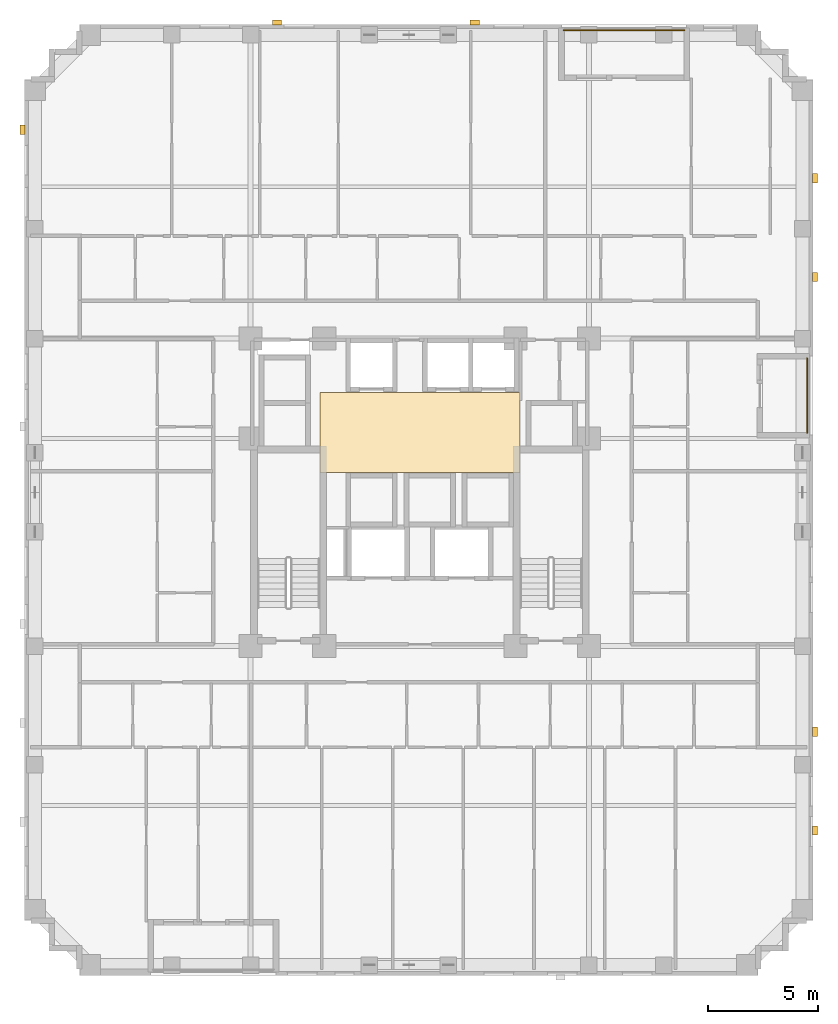
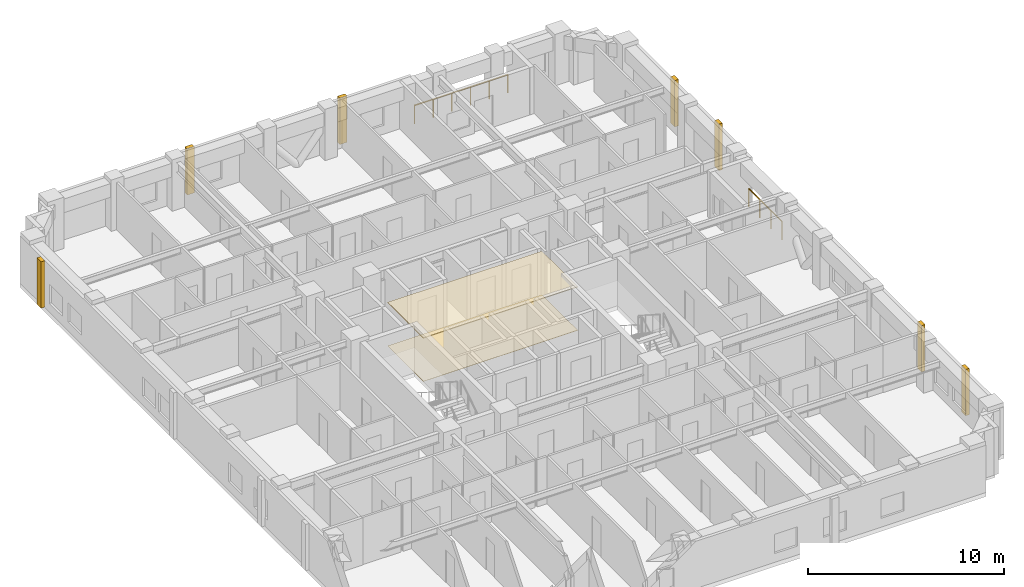
# One storey, part 12 of 12: 9 coverings, 2 railings.
"""IFC4 building model written with IfcOpenShell, lengths in metres."""

from ifc_helpers import new_model, si_unit, derived_unit, direction, frame, origin, origin_2d, place, context, subcontext, project, spatial, polyline, rectangle, circle, outline, extrude, material, layer, layer_set, type_object, element, save


model = new_model("IFC4")

# Units and contexts
model_context = context("Model", 3, precision=1e-05, world=origin(), true_north=direction((0.0, 1.0)))
body_context = subcontext(model_context, "Body", "Model", "MODEL_VIEW")
ifc_project = project(units=[si_unit("LENGTHUNIT", "METRE"), si_unit("AREAUNIT", "SQUARE_METRE"), si_unit("VOLUMEUNIT", "CUBIC_METRE"), si_unit("PLANEANGLEUNIT", "RADIAN"), si_unit("MASSUNIT", "GRAM", prefix="KILO"), derived_unit("THERMALTRANSMITTANCEUNIT", [(si_unit("MASSUNIT", "GRAM", prefix="KILO"), 1), (si_unit("TIMEUNIT", "SECOND"), -3), (si_unit("THERMODYNAMICTEMPERATUREUNIT", "KELVIN"), -1)])], contexts=[model_context])

# Site, building, storey
site_placement = place(None, origin())
site = spatial("IfcSite", under=ifc_project, at=site_placement, CompositionType="ELEMENT")
building_placement = place(site_placement, origin())
building = spatial("IfcBuilding", under=site, at=building_placement, Name="Korrvale Station Residences", CompositionType="ELEMENT")
storey_placement = place(building_placement, frame((0.0, 0.0, 110.300048828125)))
storey = spatial("IfcBuildingStorey", under=building, at=storey_placement, Name="L31", CompositionType="ELEMENT", Elevation=110.300048828125)

# Coverings
ifc_material_1 = material(Name="Perforated acoustic mineral-fibre suspended ceiling", Category="gypsum")
ifc_layer_1 = layer(ifc_material_1, 0.050048828125, Name="Perforated acoustic mineral-fibre suspended ceiling")
ifc_layer_set_1 = layer_set([ifc_layer_1], Name="Perforated acoustic mineral-fibre suspended ceiling")
covering_type_1 = type_object("IfcCoveringType", Name="COV-CLG-AC60", PredefinedType="CEILING", material=ifc_layer_set_1)
covering_1_placement = place(storey_placement, frame((0.0, 0.0, 2.68994140625)))
element("IfcCovering", 1, at=covering_1_placement, inside=storey, type_object=covering_type_1, Name="L31 Elevator Lobby Acoustic Ceiling", PredefinedType="CEILING", context=body_context, shape_type="SweptSolid", body=[
    extrude(outline(polyline([(20.949951171875, 22.89990234375), (30.050048828125, 22.89990234375), (30.050048828125, 26.550048828125), (20.949951171875, 26.550048828125), (20.949951171875, 22.89990234375)])), origin(), (0.0, 0.0, 1.0), 0.050048828125),
])
ifc_material_2 = material(Name="Polished quartz-terrazzo lobby flooring", Category="masonry")
ifc_layer_2 = layer(ifc_material_2, 0.02001953125, Name="Polished quartz-terrazzo lobby flooring")
ifc_layer_set_2 = layer_set([ifc_layer_2], Name="Polished quartz-terrazzo lobby flooring")
covering_type_2 = type_object("IfcCoveringType", Name="COV-FLR-TER20", PredefinedType="FLOORING", material=ifc_layer_set_2)
covering_2_placement = place(storey_placement, origin())
element("IfcCovering", 2, at=covering_2_placement, inside=storey, type_object=covering_type_2, Name="L31 Elevator Lobby Terrazzo Flooring", PredefinedType="FLOORING", context=body_context, shape_type="SweptSolid", body=[
    extrude(outline(polyline([(20.949951171875, 22.89990234375), (30.050048828125, 22.89990234375), (30.050048828125, 26.550048828125), (20.949951171875, 26.550048828125), (20.949951171875, 22.89990234375)])), origin(), (0.0, 0.0, 1.0), 0.02001953125),
])
ifc_material_3 = material(Name="Architectural precast concrete C45/55", Category="concrete")
ifc_layer_3 = layer(ifc_material_3, 0.219970703125, Name="Architectural precast concrete C45/55")
ifc_layer_set_3 = layer_set([ifc_layer_3], Name="Architectural precast concrete C45/55")
covering_type_3 = type_object("IfcCoveringType", Name="COV-PIER-400", PredefinedType="CLADDING", material=ifc_layer_set_3)
for number, where, z_axis, x_axis, name in (
    (3, (19.0, 43.389892578125, 0.02490234375), (0.0, 0.0, 1.0), (1.0, 0.0, 0.0), "L31 Architectural Precast Facade Pier 02"),
    (4, (28.0, 43.389892578125, 0.02490234375), (0.0, 0.0, 1.0), (1.0, 0.0, 0.0), "L31 Architectural Precast Facade Pier 03"),
    (5, (7.409912109375, 38.5, 0.02490234375), (0.0, 0.0, 1.0), (0.0, 1.0, 0.0), "L31 Architectural Precast Facade Pier 08"),
    (6, (43.489990234375, 36.300048828125, 0.02490234375), (0.0, 0.0, 1.0), (0.0, 1.0, 0.0), "L31 Architectural Precast Facade Pier 09"),
    (7, (43.489990234375, 31.800048828125, 0.02490234375), (0.0, 0.0, 1.0), (0.0, 1.0, 0.0), "L31 Architectural Precast Facade Pier 10"),
    (8, (43.489990234375, 11.10009765625, 0.02490234375), (0.0, 0.0, 1.0), (0.0, 1.0, 0.0), "L31 Architectural Precast Facade Pier 11"),
    (9, (43.489990234375, 6.60009765625, 0.02490234375), (0.0, 0.0, 1.0), (0.0, 1.0, 0.0), "L31 Architectural Precast Facade Pier 12"),
):
    element("IfcCovering", number, at=place(storey_placement, frame(where, z_axis=z_axis, x_axis=x_axis)), inside=storey, type_object=covering_type_3, Name=name, PredefinedType="CLADDING", context=body_context, shape_type="SweptSolid", body=[
        extrude(rectangle(XDim=0.419921875, YDim=0.219970703125, at=origin_2d()), origin(), (0.0, 0.0, 1.0), 2.889892578125),
    ])

# Railings
ifc_material_4 = material(Name="Powder-coated aluminium picket loggia guard", Category="aluminium")
railing_type = type_object("IfcRailingType", Name="RLG-BAL-1150", PredefinedType="GUARDRAIL", material=ifc_material_4)
railing_1_placement = place(storey_placement, frame((32.050048828125, 43.030029296875, 0.0)))
element("IfcRailing", 10, at=railing_1_placement, inside=storey, type_object=railing_type, Name="L31 Recessed Loggia Guardrail BAL-L31-N1", PredefinedType="GUARDRAIL", context=body_context, shape_type="SweptSolid", body=[
    extrude(circle(Radius=0.02392578125, at=origin_2d()), frame((0.0, 0.0, 1.1259765625), z_axis=(1.0, 0.0, 0.0), x_axis=(0.0, 1.0, 0.0)), (0.0, 0.0, 1.0), 5.5),
    extrude(circle(Radius=0.02099609375, at=origin_2d()), origin(), (0.0, 0.0, 1.0), 1.101806640625),
    extrude(circle(Radius=0.02099609375, at=origin_2d()), frame((1.10009765625, 0.0, 0.0)), (0.0, 0.0, 1.0), 1.101806640625),
    extrude(circle(Radius=0.02099609375, at=origin_2d()), frame((2.199951171875, 0.0, 0.0)), (0.0, 0.0, 1.0), 1.101806640625),
    extrude(circle(Radius=0.02099609375, at=origin_2d()), frame((3.300048828125, 0.0, 0.0)), (0.0, 0.0, 1.0), 1.101806640625),
    extrude(circle(Radius=0.02099609375, at=origin_2d()), frame((4.39990234375, 0.0, 0.0)), (0.0, 0.0, 1.0), 1.101806640625),
    extrude(circle(Radius=0.02099609375, at=origin_2d()), frame((5.5, 0.0, 0.0)), (0.0, 0.0, 1.0), 1.101806640625),
])
railing_2_placement = place(storey_placement, frame((43.1298828125, 24.699951171875, 0.0)))
element("IfcRailing", 11, at=railing_2_placement, inside=storey, type_object=railing_type, Name="L31 Recessed Loggia Guardrail BAL-L31-E1", PredefinedType="GUARDRAIL", context=body_context, shape_type="SweptSolid", body=[
    extrude(circle(Radius=0.02392578125, at=origin_2d()), frame((0.0, 0.0, 1.1259765625), z_axis=(0.0, 1.0, 0.0), x_axis=(-1.0, 0.0, 0.0)), (0.0, 0.0, 1.0), 3.400146484375),
    extrude(circle(Radius=0.02099609375, at=origin_2d()), origin(), (0.0, 0.0, 1.0), 1.101806640625),
    extrude(circle(Radius=0.02099609375, at=origin_2d()), frame((0.0, 1.13330078125, 0.0)), (0.0, 0.0, 1.0), 1.101806640625),
    extrude(circle(Radius=0.02099609375, at=origin_2d()), frame((0.0, 2.266845703125, 0.0)), (0.0, 0.0, 1.0), 1.101806640625),
    extrude(circle(Radius=0.02099609375, at=origin_2d()), frame((0.0, 3.400146484375, 0.0)), (0.0, 0.0, 1.0), 1.101806640625),
])

save(model, "model.ifc")
